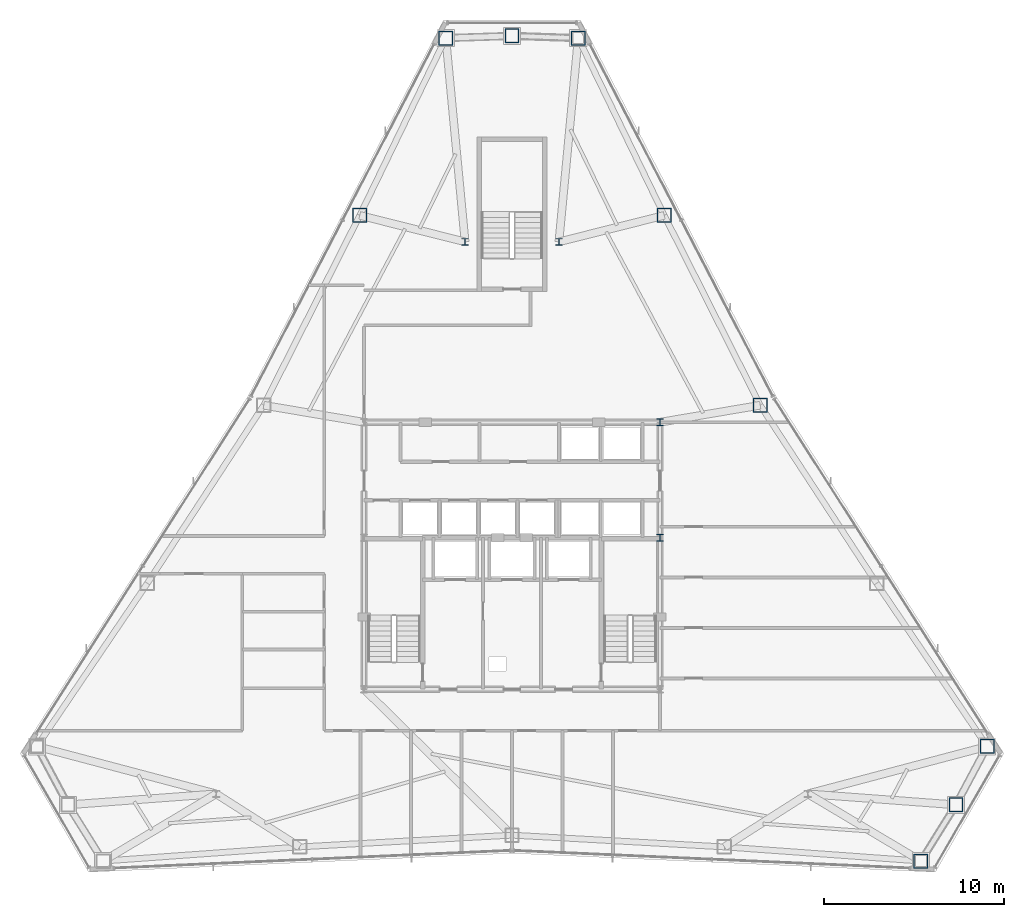
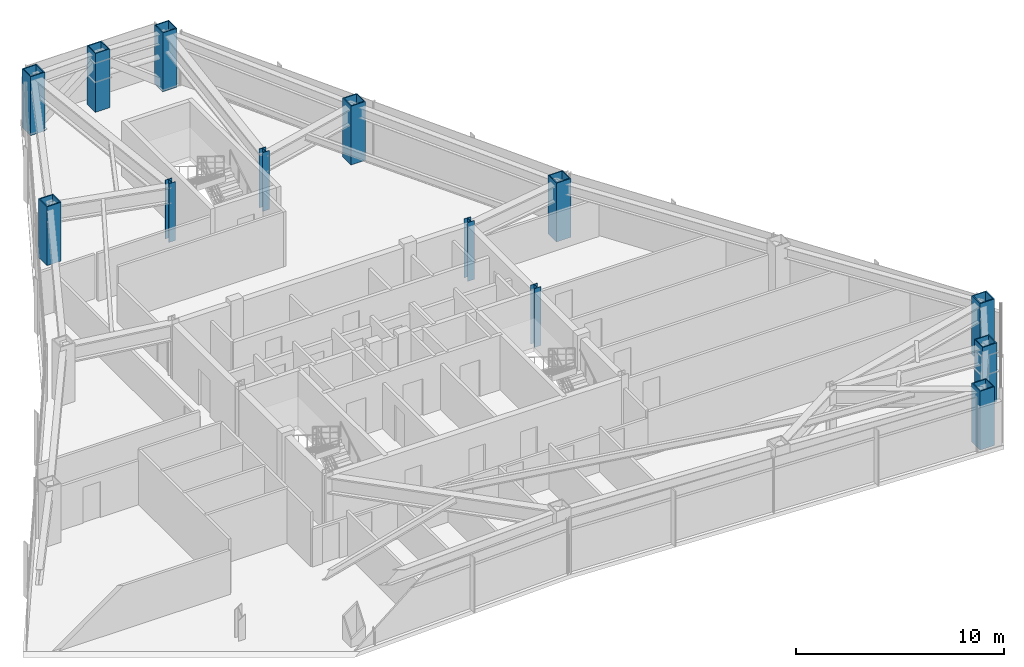
# One storey, part 2 of 13: 13 columns.
"""IFC4 building model written with IfcOpenShell, lengths in metres."""

from ifc_helpers import new_model, si_unit, direction, frame, origin, origin_2d, place, context, subcontext, project, spatial, hollow_rectangle, i_section, extrude, material, material_profile, profile_set, type_object, element, save


model = new_model("IFC4")

# Units and contexts
model_context = context("Model", 3, precision=1e-05, world=origin(), true_north=direction((0.0, 1.0)))
body_context = subcontext(model_context, "Body", "Model", "MODEL_VIEW")
ifc_project = project(units=[si_unit("LENGTHUNIT", "METRE"), si_unit("AREAUNIT", "SQUARE_METRE"), si_unit("VOLUMEUNIT", "CUBIC_METRE"), si_unit("PLANEANGLEUNIT", "RADIAN"), si_unit("MASSUNIT", "GRAM", prefix="KILO")], contexts=[model_context])

# Site, building, storey
site_placement = place(None, origin())
site = spatial("IfcSite", under=ifc_project, at=site_placement, CompositionType="ELEMENT")
building_placement = place(site_placement, origin())
building = spatial("IfcBuilding", under=site, at=building_placement, Name="Varakhsha Concourse Tower", CompositionType="ELEMENT")
storey_placement = place(building_placement, frame((0.0, 0.0, 189.60009765625)))
storey = spatial("IfcBuildingStorey", under=building, at=storey_placement, Name="L54", CompositionType="ELEMENT", Elevation=189.60009765625)

# Columns
ifc_material_1 = material(Name="Structural Steel ASTM A992 Grade 50", Category="steel")
ifc_material_profile_1 = material_profile(ifc_material_1, i_section(OverallWidth=0.3740234375, OverallDepth=0.3720703125, WebThickness=0.01611328125, FlangeThickness=0.02587890625, at=origin_2d()), Name="W14X132")
ifc_profile_set_1 = profile_set([ifc_material_profile_1], Name="Structural Steel ASTM A992 Grade 50")
column_type_1 = type_object("IfcColumnType", Name="CL-CORE-W14X132", PredefinedType="COLUMN", material=ifc_profile_set_1)
for number, where, z_axis, x_axis, name in (
    (1, (48.199951171875, 24.800048828125, 0.0), (0.0, 0.0, 1.0), (1.0, 0.0, 0.0), "L54 Core Column CC-ME"),
    (2, (48.199951171875, 31.199951171875, 0.0), (0.0, 0.0, 1.0), (1.0, 0.0, 0.0), "L54 Core Column CC-NE"),
    (3, (37.39990234375, 41.199951171875, 0.0), (0.0, 0.0, 1.0), (1.0, 0.0, 0.0), "L54 Core Column NS-W"),
    (4, (42.60009765625, 41.199951171875, 0.0), (0.0, 0.0, 1.0), (1.0, 0.0, 0.0), "L54 Core Column NS-E"),
):
    element("IfcColumn", number, at=place(storey_placement, frame(where, z_axis=z_axis, x_axis=x_axis)), inside=storey, type_object=column_type_1, Name=name, PredefinedType="COLUMN", context=body_context, shape_type="SweptSolid", body=[
        extrude(i_section(OverallWidth=0.3740234375, OverallDepth=0.3720703125, WebThickness=0.01611328125, FlangeThickness=0.02587890625, at=origin_2d()), origin(), (0.0, 0.0, 1.0), 3.449951171875),
    ])
ifc_material_2 = material(Name="Structural Steel ASTM A572 Grade 50", Category="steel")
ifc_material_profile_2 = material_profile(ifc_material_2, hollow_rectangle(XDim=0.800048828125, YDim=0.800048828125, WallThickness=0.054931640625, at=origin_2d()), Name="BOX 800x800x55")
ifc_profile_set_2 = profile_set([ifc_material_profile_2], Name="Structural Steel ASTM A572 Grade 50")
column_type_2 = type_object("IfcColumnType", Name="CL-TUBE-800", PredefinedType="COLUMN", material=ifc_profile_set_2)
for number, where, z_axis, x_axis, name in (
    (5, (43.669921875, 52.49462890625, 0.0), (0.0, 0.0, 1.0), (1.0, 0.0, 0.0), "L54 Framed-Tube Column TC01"),
    (6, (40.0, 52.6181640625, 0.0), (0.0, 0.0, 1.0), (1.0, 0.0, 0.0), "L54 Framed-Tube Column TC02"),
    (7, (36.330078125, 52.49462890625, 0.0), (0.0, 0.0, 1.0), (1.0, 0.0, 0.0), "L54 Framed-Tube Column TC03"),
    (8, (31.56298828125, 42.668212890625, 0.0), (0.0, 0.0, 1.0), (1.0, 0.0, 0.0), "L54 Framed-Tube Column TC04"),
    (9, (62.6689453125, 6.87451171875, 0.0), (0.0, 0.0, 1.0), (1.0, 0.0, 0.0), "L54 Framed-Tube Column TC13"),
    (10, (64.61083984375, 9.990966796875, 0.0), (0.0, 0.0, 1.0), (1.0, 0.0, 0.0), "L54 Framed-Tube Column TC14"),
    (11, (66.3388671875, 13.23095703125, 0.0), (0.0, 0.0, 1.0), (1.0, 0.0, 0.0), "L54 Framed-Tube Column TC15"),
    (12, (53.759033203125, 32.143798828125, 0.0), (0.0, 0.0, 1.0), (1.0, 0.0, 0.0), "L54 Framed-Tube Column TC17"),
    (13, (48.43701171875, 42.668212890625, 0.0), (0.0, 0.0, 1.0), (1.0, 0.0, 0.0), "L54 Framed-Tube Column TC18"),
):
    element("IfcColumn", number, at=place(storey_placement, frame(where, z_axis=z_axis, x_axis=x_axis)), inside=storey, type_object=column_type_2, Name=name, PredefinedType="COLUMN", context=body_context, shape_type="SweptSolid", body=[
        extrude(hollow_rectangle(XDim=0.800048828125, YDim=0.800048828125, WallThickness=0.054931640625, at=origin_2d()), origin(), (0.0, 0.0, 1.0), 3.449951171875),
    ])

save(model, "model.ifc")
